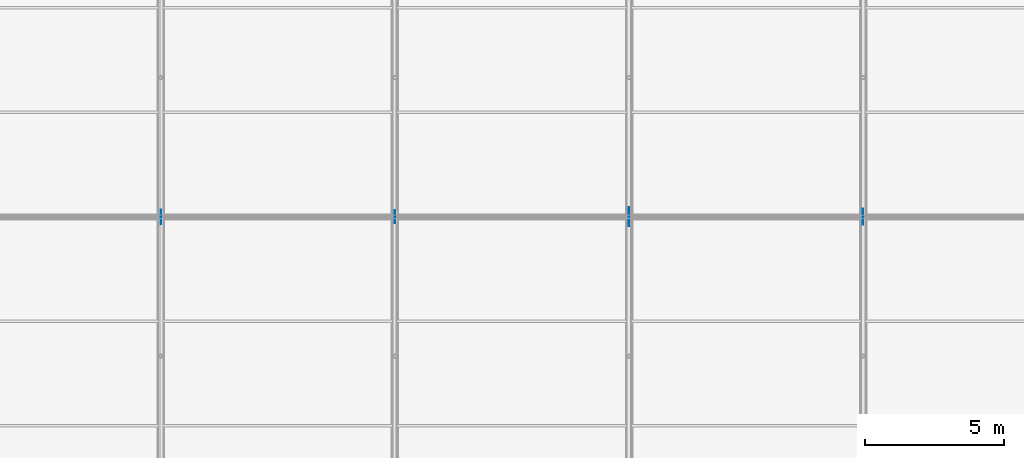
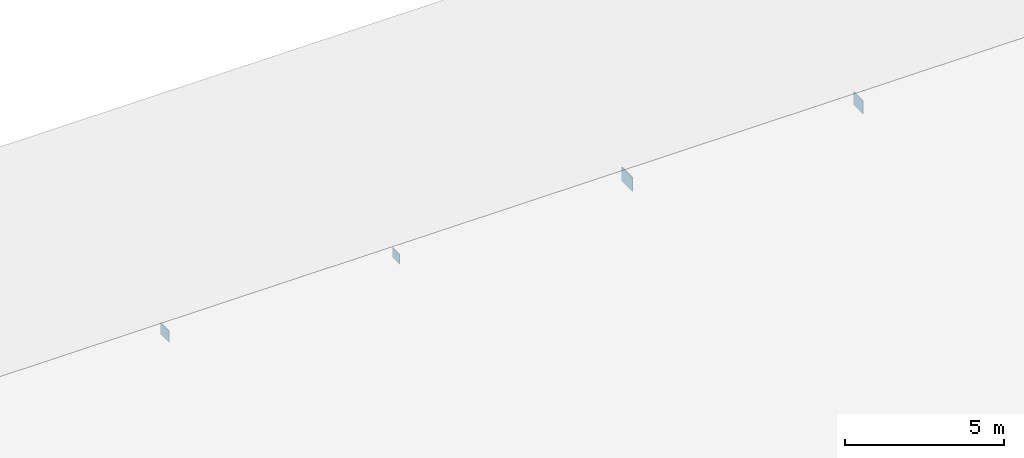
# One storey, part 183 of 194: 4 plates.
"""IFC4 building model written with IfcOpenShell, lengths in metres."""

from ifc_helpers import new_model, si_unit, direction, frame, origin, origin_2d, place, context, subcontext, project, spatial, rectangle, extrude, material, layer, layer_set, type_object, element, save


model = new_model("IFC4")

# Units and contexts
model_context = context("Model", 3, precision=1e-05, world=origin(), true_north=direction((0.0, 1.0)))
body_context = subcontext(model_context, "Body", "Model", "MODEL_VIEW")
ifc_project = project(units=[si_unit("LENGTHUNIT", "METRE"), si_unit("AREAUNIT", "SQUARE_METRE"), si_unit("VOLUMEUNIT", "CUBIC_METRE"), si_unit("PLANEANGLEUNIT", "RADIAN"), si_unit("MASSUNIT", "GRAM", prefix="KILO")], contexts=[model_context])

# Site, building, storey
site_placement = place(None, origin())
site = spatial("IfcSite", under=ifc_project, at=site_placement, CompositionType="ELEMENT")
building_placement = place(site_placement, origin())
building = spatial("IfcBuilding", under=site, at=building_placement, Name="Kazenagashi Tramway Depot", CompositionType="ELEMENT")
storey_placement = place(building_placement, frame((0.0, 0.0, 23.7)))
storey = spatial("IfcBuildingStorey", under=building, at=storey_placement, Name="ROOF", CompositionType="ELEMENT", Elevation=23.7)

# Plates
ifc_material = material(Name="Steel SN490B", Category="steel")
ifc_layer_1 = layer(ifc_material, 0.019)
ifc_layer_set_1 = layer_set([ifc_layer_1], Name="Steel SN490B")
plate_type_1 = type_object("IfcPlateType", Name="GP-08", PredefinedType="USERDEFINED", material=ifc_layer_set_1)
plate_1_placement = place(storey_placement, frame((162.4, 115.0, -10.82), z_axis=(0.0, 0.0, 1.0), x_axis=(0.0, 1.0, 0.0)))
element("IfcPlate", 1, at=plate_1_placement, inside=storey, type_object=plate_type_1, Name="Structural Node Plate GP-08 PLT-0058", ObjectType="GUSSET PLATE", PredefinedType="USERDEFINED", context=body_context, shape_type="SweptSolid", body=[
    extrude(rectangle(XDim=0.52, YDim=0.019, at=origin_2d()), origin(), (0.0, 0.0, 1.0), 0.44),
])
ifc_layer_2 = layer(ifc_material, 0.016)
ifc_layer_set_2 = layer_set([ifc_layer_2], Name="Steel SN490B")
plate_type_2 = type_object("IfcPlateType", Name="GP-09", PredefinedType="USERDEFINED", material=ifc_layer_set_2)
plate_2_placement = place(storey_placement, frame((170.8, 115.0, -10.79), z_axis=(0.0, 0.0, 1.0), x_axis=(0.0, 1.0, 0.0)))
element("IfcPlate", 2, at=plate_2_placement, inside=storey, type_object=plate_type_2, Name="Structural Node Plate GP-09 PLT-0062", ObjectType="GUSSET PLATE", PredefinedType="USERDEFINED", context=body_context, shape_type="SweptSolid", body=[
    extrude(rectangle(XDim=0.46, YDim=0.016, at=origin_2d()), origin(), (0.0, 0.0, 1.0), 0.38),
])
ifc_layer_3 = layer(ifc_material, 0.025)
ifc_layer_set_3 = layer_set([ifc_layer_3], Name="Steel SN490B")
plate_type_3 = type_object("IfcPlateType", Name="GP-10", PredefinedType="USERDEFINED", material=ifc_layer_set_3)
plate_3_placement = place(storey_placement, frame((179.2, 115.0, -10.87), z_axis=(0.0, 0.0, 1.0), x_axis=(0.0, 1.0, 0.0)))
element("IfcPlate", 3, at=plate_3_placement, inside=storey, type_object=plate_type_3, Name="Structural Node Plate GP-10 PLT-0066", ObjectType="GUSSET PLATE", PredefinedType="USERDEFINED", context=body_context, shape_type="SweptSolid", body=[
    extrude(rectangle(XDim=0.68, YDim=0.025, at=origin_2d()), origin(), (0.0, 0.0, 1.0), 0.54),
])
ifc_layer_4 = layer(ifc_material, 0.02)
ifc_layer_set_4 = layer_set([ifc_layer_4], Name="Steel SN490B")
plate_type_4 = type_object("IfcPlateType", Name="GP-11", PredefinedType="USERDEFINED", material=ifc_layer_set_4)
plate_4_placement = place(storey_placement, frame((187.6, 115.0, -10.86), z_axis=(0.0, 0.0, 1.0), x_axis=(0.0, 1.0, 0.0)))
element("IfcPlate", 4, at=plate_4_placement, inside=storey, type_object=plate_type_4, Name="Structural Node Plate GP-11 PLT-0070", ObjectType="GUSSET PLATE", PredefinedType="USERDEFINED", context=body_context, shape_type="SweptSolid", body=[
    extrude(rectangle(XDim=0.58, YDim=0.02, at=origin_2d()), origin(), (0.0, 0.0, 1.0), 0.52),
])

save(model, "model.ifc")
